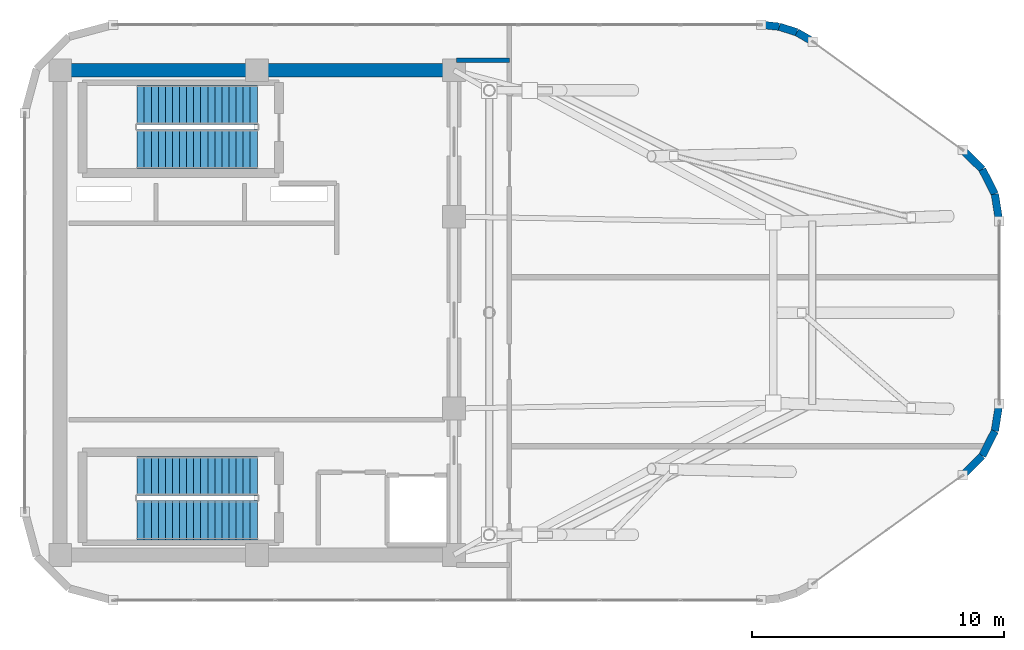
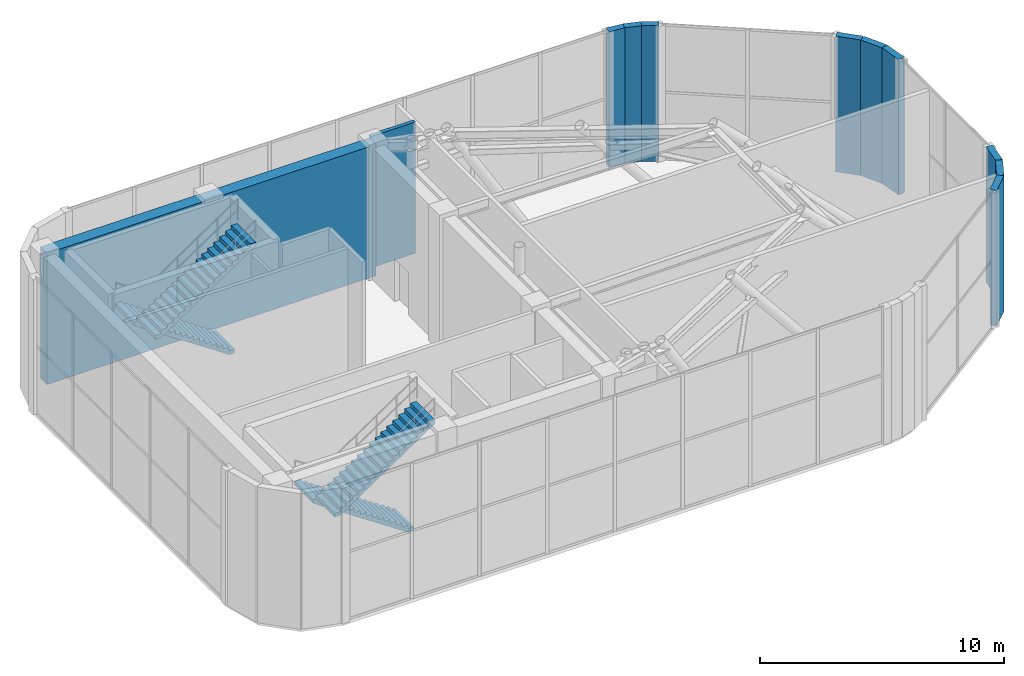
# One storey, part 22 of 23: 11 walls, 4 stair flights, 2 elements without a shape of their own.
"""IFC4 building model written with IfcOpenShell, lengths in metres."""

from ifc_helpers import new_model, si_unit, direction, frame, frame_2d, origin, place, context, subcontext, project, spatial, polyline, rectangle, outline, extrude, material, layer, layer_set, type_object, element, aggregate, save


model = new_model("IFC4")

# Units and contexts
model_context = context("Model", 3, precision=1e-05, world=origin(), true_north=direction((0.0, 1.0)))
body_context = subcontext(model_context, "Body", "Model", "MODEL_VIEW")
ifc_project = project(units=[si_unit("LENGTHUNIT", "METRE"), si_unit("AREAUNIT", "SQUARE_METRE"), si_unit("VOLUMEUNIT", "CUBIC_METRE"), si_unit("PLANEANGLEUNIT", "RADIAN"), si_unit("MASSUNIT", "GRAM", prefix="KILO")], contexts=[model_context])

# Site, building, storey
site_placement = place(None, origin())
site = spatial("IfcSite", under=ifc_project, at=site_placement, CompositionType="ELEMENT")
building_placement = place(site_placement, origin())
building = spatial("IfcBuilding", under=site, at=building_placement, Name="An Khanh Terracotta Commons", CompositionType="ELEMENT")
storey_placement = place(building_placement, frame((0.0, 0.0, 322.0)))
storey = spatial("IfcBuildingStorey", under=building, at=storey_placement, Name="L81 Crown Heat-Recovery Plant", CompositionType="ELEMENT", Elevation=322.0)

# Walls
ifc_material_1 = material(Name="Concrete C50/60", Category="concrete")
ifc_layer_1 = layer(ifc_material_1, 0.550048828125, Name="Concrete C50/60")
ifc_layer_set_1 = layer_set([ifc_layer_1], Name="Concrete C50/60")
wall_type_1 = type_object("IfcWallType", Name="WALL-CORE-550", PredefinedType="SHEAR", material=ifc_layer_set_1)
wall_1_placement = place(storey_placement, frame((21.60009765625, 33.60009765625, 0.0), z_axis=(0.0, 0.0, 1.0), x_axis=(1.0, 0.0, 0.0)))
element("IfcWall", 1, at=wall_1_placement, inside=storey, type_object=wall_type_1, Name="L81 Crown Heat-Recovery Plant Core Wall CWALL-L81 Crown Heat-Recovery Plant-N", PredefinedType="SHEAR", context=body_context, shape_type="SweptSolid", body=[
    extrude(rectangle(XDim=15.599853515625, YDim=0.550048828125, at=frame_2d((7.7998046875, 0.0))), origin(), (0.0, 0.0, 1.0), 6.580078125),
])
ifc_material_2 = material(Name="Fire-Rated Gypsum Board on Steel Stud", Category="steel")
ifc_layer_2 = layer(ifc_material_2, 0.179931640625, Name="Fire-Rated Gypsum Board on Steel Stud")
ifc_layer_set_2 = layer_set([ifc_layer_2], Name="Fire-Rated Gypsum Board on Steel Stud")
wall_type_2 = type_object("IfcWallType", Name="WALL-CORR-180", PredefinedType="PARTITIONING", material=ifc_layer_set_2)
wall_2_placement = place(storey_placement, frame((37.300048828125, 34.0, 0.0), z_axis=(0.0, 0.0, 1.0), x_axis=(1.0, 0.0, 0.0)))
element("IfcWall", 2, at=wall_2_placement, inside=storey, type_object=wall_type_2, Name="L81 Crown Heat-Recovery Plant Interior Partition IW-L81 Crown Heat-Recovery Plant-E004", PredefinedType="PARTITIONING", context=body_context, shape_type="SweptSolid", body=[
    extrude(rectangle(XDim=2.099853515625, YDim=0.179931640625, at=frame_2d((1.0498046875, 0.0))), origin(), (0.0, 0.0, 1.0), 6.580078125),
])
ifc_material_3 = material(Name="Precast concrete C40/50", Category="concrete")
ifc_layer_3 = layer(ifc_material_3, 0.300048828125, Name="Precast concrete C40/50")
ifc_layer_set_3 = layer_set([ifc_layer_3], Name="Precast concrete C40/50")
wall_type_3 = type_object("IfcWallType", Name="WALL-EXT-300", PredefinedType="SOLIDWALL", material=ifc_layer_set_3)
wall_3_placement = place(storey_placement, frame((57.35009765625, 17.552001953125, 0.0), z_axis=(0.0, 0.0, 1.0), x_axis=(0.708439683908, 0.705771361182, 0.0)))
element("IfcWall", 3, at=wall_3_placement, inside=storey, type_object=wall_type_3, Name="L81 Crown Heat-Recovery Plant Crown Facet Corner Closure 9", PredefinedType="SOLIDWALL", context=body_context, shape_type="SweptSolid", body=[
    extrude(rectangle(XDim=1.097900390625, YDim=0.300048828125, at=frame_2d((0.548828125, 0.0))), origin(), (0.0, 0.0, 1.0), 6.800048828125),
])
wall_4_placement = place(storey_placement, frame((58.1279296875, 18.326904296875, 0.0), z_axis=(0.0, 0.0, 1.0), x_axis=(0.455557799247, 0.890206207317, 0.0)))
element("IfcWall", 4, at=wall_4_placement, inside=storey, type_object=wall_type_3, Name="L81 Crown Heat-Recovery Plant Crown Facet Corner Closure 10", PredefinedType="SOLIDWALL", context=body_context, shape_type="SweptSolid", body=[
    extrude(rectangle(XDim=1.09765625, YDim=0.300048828125, at=frame_2d((0.548828125, 0.0))), origin(), (0.0, 0.0, 1.0), 6.800048828125),
])
for number, where, z_axis, x_axis, name in (
    (5, (58.6279296875, 19.303955078125, 0.0), (0.0, 0.0, 1.0), (0.156681519231, 0.987649179381, 0.0), "L81 Crown Heat-Recovery Plant Crown Facet Corner Closure 11"),
    (6, (58.800048828125, 27.611083984375, 0.0), (0.0, 0.0, 1.0), (-0.156681519231, 0.987649179381, 0.0), "L81 Crown Heat-Recovery Plant Crown Facet Corner Closure 13"),
):
    element("IfcWall", number, at=place(storey_placement, frame(where, z_axis=z_axis, x_axis=x_axis)), inside=storey, type_object=wall_type_3, Name=name, PredefinedType="SOLIDWALL", context=body_context, shape_type="SweptSolid", body=[
        extrude(rectangle(XDim=1.0986328125, YDim=0.300048828125, at=frame_2d((0.54931640625, 0.0))), origin(), (0.0, 0.0, 1.0), 6.800048828125),
    ])
wall_5_placement = place(storey_placement, frame((58.6279296875, 28.696044921875, 0.0), z_axis=(0.0, 0.0, 1.0), x_axis=(-0.455557799247, 0.890206207317, 0.0)))
element("IfcWall", 7, at=wall_5_placement, inside=storey, type_object=wall_type_3, Name="L81 Crown Heat-Recovery Plant Crown Facet Corner Closure 14", PredefinedType="SOLIDWALL", context=body_context, shape_type="SweptSolid", body=[
    extrude(rectangle(XDim=1.09765625, YDim=0.300048828125, at=frame_2d((0.548828125, 0.0))), origin(), (0.0, 0.0, 1.0), 6.800048828125),
])
wall_6_placement = place(storey_placement, frame((58.1279296875, 29.673095703125, 0.0), z_axis=(0.0, 0.0, 1.0), x_axis=(-0.708439683908, 0.705771361182, 0.0)))
element("IfcWall", 8, at=wall_6_placement, inside=storey, type_object=wall_type_3, Name="L81 Crown Heat-Recovery Plant Crown Facet Corner Closure 15", PredefinedType="SOLIDWALL", context=body_context, shape_type="SweptSolid", body=[
    extrude(rectangle(XDim=1.097900390625, YDim=0.300048828125, at=frame_2d((0.548828125, 0.0))), origin(), (0.0, 0.0, 1.0), 6.800048828125),
])
wall_7_placement = place(storey_placement, frame((51.41796875, 34.736083984375, 0.0), z_axis=(0.0, 0.0, 1.0), x_axis=(-0.866569821449, 0.49905585314, 0.0)))
element("IfcWall", 9, at=wall_7_placement, inside=storey, type_object=wall_type_3, Name="L81 Crown Heat-Recovery Plant Crown Facet Corner Closure 17", PredefinedType="SOLIDWALL", context=body_context, shape_type="SweptSolid", body=[
    extrude(rectangle(XDim=0.7294921875, YDim=0.300048828125, at=frame_2d((0.36474609375, 0.0))), origin(), (0.0, 0.0, 1.0), 6.800048828125),
])
for number, where, z_axis, x_axis, name in (
    (10, (50.785888671875, 35.10009765625, 0.0), (0.0, 0.0, 1.0), (-0.951686522408, 0.307071267082, 0.0), "L81 Crown Heat-Recovery Plant Crown Facet Corner Closure 18"),
    (11, (50.092041015625, 35.323974609375, 0.0), (0.0, 0.0, 1.0), (-0.99456218804, 0.104144390734, 0.0), "L81 Crown Heat-Recovery Plant Crown Facet Corner Closure 19"),
):
    element("IfcWall", number, at=place(storey_placement, frame(where, z_axis=z_axis, x_axis=x_axis)), inside=storey, type_object=wall_type_3, Name=name, PredefinedType="SOLIDWALL", context=body_context, shape_type="SweptSolid", body=[
        extrude(rectangle(XDim=0.72900390625, YDim=0.300048828125, at=frame_2d((0.364501953125, 0.0))), origin(), (0.0, 0.0, 1.0), 6.800048828125),
    ])

# Stair, stair flights
stair_type = type_object("IfcStairType", Name="STAIR-CORE-1550", PredefinedType="HALF_TURN_STAIR", material=ifc_material_3)
stair_1_placement = place(storey_placement, origin())
stair_1 = element("IfcStair", 12, at=stair_1_placement, inside=storey, type_object=stair_type, Name="L81 Crown Heat-Recovery Plant Core Smokeproof Exit Stair ST-01", PredefinedType="HALF_TURN_STAIR")
stair_flight_type = type_object("IfcStairFlightType", Name="FLIGHT-CORE-1550", PredefinedType="STRAIGHT", material=ifc_material_3)
stair_flight_1_placement = place(storey_placement, frame((29.409912109375, 32.22509765625, 0.0), z_axis=(0.0, 0.0, 1.0), x_axis=(-1.0, 0.0, 0.0)))
stair_flight_1 = element("IfcStairFlight", 13, at=stair_flight_1_placement, type_object=stair_flight_type, Name="ST-01 flight 1", NumberOfRisers=18, NumberOfTreads=17, PredefinedType="STRAIGHT", RiserHeight=0.188888889, TreadLength=0.28, context=body_context, shape_type="SweptSolid", body=[
    extrude(outline(polyline([(0.0, 0.0), (0.0, 0.18896484375), (0.280029296875, 0.18896484375), (0.280029296875, 0.377685546875), (0.56005859375, 0.377685546875), (0.56005859375, 0.566650390625), (0.840087890625, 0.566650390625), (0.840087890625, 0.755615234375), (1.1201171875, 0.755615234375), (1.1201171875, 0.9443359375), (1.39990234375, 0.9443359375), (1.39990234375, 1.13330078125), (1.679931640625, 1.13330078125), (1.679931640625, 1.322265625), (1.9599609375, 1.322265625), (1.9599609375, 1.51123046875), (2.239990234375, 1.51123046875), (2.239990234375, 1.699951171875), (2.52001953125, 1.699951171875), (2.52001953125, 1.888916015625), (2.800048828125, 1.888916015625), (2.800048828125, 2.077880859375), (3.080078125, 2.077880859375), (3.080078125, 2.2666015625), (3.360107421875, 2.2666015625), (3.360107421875, 2.45556640625), (3.639892578125, 2.45556640625), (3.639892578125, 2.64453125), (3.919921875, 2.64453125), (3.919921875, 2.833251953125), (4.199951171875, 2.833251953125), (4.199951171875, 3.022216796875), (4.47998046875, 3.022216796875), (4.47998046875, 3.211181640625), (4.760009765625, 3.211181640625), (4.760009765625, 3.39990234375), (4.760009765625, 3.0302734375), (0.26806640625, 0.0), (0.0, 0.0)])), frame((0.0, 0.77490234375, 0.0), z_axis=(0.0, -1.0, 0.0), x_axis=(1.0, 0.0, 0.0)), (0.0, 0.0, 1.0), 1.550048828125),
])
stair_flight_2_placement = place(storey_placement, frame((24.64990234375, 30.47509765625, 3.39990234375), z_axis=(0.0, 0.0, 1.0), x_axis=(1.0, 0.0, 0.0)))
stair_flight_2 = element("IfcStairFlight", 14, at=stair_flight_2_placement, type_object=stair_flight_type, Name="ST-01 flight 2", NumberOfRisers=18, NumberOfTreads=17, PredefinedType="STRAIGHT", RiserHeight=0.188888889, TreadLength=0.28, context=body_context, shape_type="SweptSolid", body=[
    extrude(outline(polyline([(0.0, 0.0), (0.0, 0.18896484375), (0.280029296875, 0.18896484375), (0.280029296875, 0.377685546875), (0.56005859375, 0.377685546875), (0.56005859375, 0.566650390625), (0.840087890625, 0.566650390625), (0.840087890625, 0.755615234375), (1.1201171875, 0.755615234375), (1.1201171875, 0.9443359375), (1.39990234375, 0.9443359375), (1.39990234375, 1.13330078125), (1.679931640625, 1.13330078125), (1.679931640625, 1.322265625), (1.9599609375, 1.322265625), (1.9599609375, 1.51123046875), (2.239990234375, 1.51123046875), (2.239990234375, 1.699951171875), (2.52001953125, 1.699951171875), (2.52001953125, 1.888916015625), (2.800048828125, 1.888916015625), (2.800048828125, 2.077880859375), (3.080078125, 2.077880859375), (3.080078125, 2.2666015625), (3.360107421875, 2.2666015625), (3.360107421875, 2.45556640625), (3.639892578125, 2.45556640625), (3.639892578125, 2.64453125), (3.919921875, 2.64453125), (3.919921875, 2.833251953125), (4.199951171875, 2.833251953125), (4.199951171875, 3.022216796875), (4.47998046875, 3.022216796875), (4.47998046875, 3.211181640625), (4.760009765625, 3.211181640625), (4.760009765625, 3.39990234375), (4.760009765625, 3.0302734375), (0.26806640625, 0.0), (0.0, 0.0)])), frame((0.0, 0.77490234375, 0.0), z_axis=(0.0, -1.0, 0.0), x_axis=(1.0, 0.0, 0.0)), (0.0, 0.0, 1.0), 1.550048828125),
])
aggregate(stair_1, [stair_flight_1, stair_flight_2])

stair_2_placement = place(storey_placement, origin())
stair_2 = element("IfcStair", 15, at=stair_2_placement, inside=storey, type_object=stair_type, Name="L81 Crown Heat-Recovery Plant Core Smokeproof Exit Stair ST-02", PredefinedType="HALF_TURN_STAIR")
stair_flight_3_placement = place(storey_placement, frame((29.409912109375, 17.52490234375, 0.0), z_axis=(0.0, 0.0, 1.0), x_axis=(-1.0, 0.0, 0.0)))
stair_flight_3 = element("IfcStairFlight", 16, at=stair_flight_3_placement, type_object=stair_flight_type, Name="ST-02 flight 1", NumberOfRisers=18, NumberOfTreads=17, PredefinedType="STRAIGHT", RiserHeight=0.188888889, TreadLength=0.28, context=body_context, shape_type="SweptSolid", body=[
    extrude(outline(polyline([(0.0, 0.0), (0.0, 0.18896484375), (0.280029296875, 0.18896484375), (0.280029296875, 0.377685546875), (0.56005859375, 0.377685546875), (0.56005859375, 0.566650390625), (0.840087890625, 0.566650390625), (0.840087890625, 0.755615234375), (1.1201171875, 0.755615234375), (1.1201171875, 0.9443359375), (1.39990234375, 0.9443359375), (1.39990234375, 1.13330078125), (1.679931640625, 1.13330078125), (1.679931640625, 1.322265625), (1.9599609375, 1.322265625), (1.9599609375, 1.51123046875), (2.239990234375, 1.51123046875), (2.239990234375, 1.699951171875), (2.52001953125, 1.699951171875), (2.52001953125, 1.888916015625), (2.800048828125, 1.888916015625), (2.800048828125, 2.077880859375), (3.080078125, 2.077880859375), (3.080078125, 2.2666015625), (3.360107421875, 2.2666015625), (3.360107421875, 2.45556640625), (3.639892578125, 2.45556640625), (3.639892578125, 2.64453125), (3.919921875, 2.64453125), (3.919921875, 2.833251953125), (4.199951171875, 2.833251953125), (4.199951171875, 3.022216796875), (4.47998046875, 3.022216796875), (4.47998046875, 3.211181640625), (4.760009765625, 3.211181640625), (4.760009765625, 3.39990234375), (4.760009765625, 3.0302734375), (0.26806640625, 0.0), (0.0, 0.0)])), frame((0.0, 0.77490234375, 0.0), z_axis=(0.0, -1.0, 0.0), x_axis=(1.0, 0.0, 0.0)), (0.0, 0.0, 1.0), 1.550048828125),
])
stair_flight_4_placement = place(storey_placement, frame((24.64990234375, 15.77490234375, 3.39990234375), z_axis=(0.0, 0.0, 1.0), x_axis=(1.0, 0.0, 0.0)))
stair_flight_4 = element("IfcStairFlight", 17, at=stair_flight_4_placement, type_object=stair_flight_type, Name="ST-02 flight 2", NumberOfRisers=18, NumberOfTreads=17, PredefinedType="STRAIGHT", RiserHeight=0.188888889, TreadLength=0.28, context=body_context, shape_type="SweptSolid", body=[
    extrude(outline(polyline([(0.0, 0.0), (0.0, 0.18896484375), (0.280029296875, 0.18896484375), (0.280029296875, 0.377685546875), (0.56005859375, 0.377685546875), (0.56005859375, 0.566650390625), (0.840087890625, 0.566650390625), (0.840087890625, 0.755615234375), (1.1201171875, 0.755615234375), (1.1201171875, 0.9443359375), (1.39990234375, 0.9443359375), (1.39990234375, 1.13330078125), (1.679931640625, 1.13330078125), (1.679931640625, 1.322265625), (1.9599609375, 1.322265625), (1.9599609375, 1.51123046875), (2.239990234375, 1.51123046875), (2.239990234375, 1.699951171875), (2.52001953125, 1.699951171875), (2.52001953125, 1.888916015625), (2.800048828125, 1.888916015625), (2.800048828125, 2.077880859375), (3.080078125, 2.077880859375), (3.080078125, 2.2666015625), (3.360107421875, 2.2666015625), (3.360107421875, 2.45556640625), (3.639892578125, 2.45556640625), (3.639892578125, 2.64453125), (3.919921875, 2.64453125), (3.919921875, 2.833251953125), (4.199951171875, 2.833251953125), (4.199951171875, 3.022216796875), (4.47998046875, 3.022216796875), (4.47998046875, 3.211181640625), (4.760009765625, 3.211181640625), (4.760009765625, 3.39990234375), (4.760009765625, 3.0302734375), (0.26806640625, 0.0), (0.0, 0.0)])), frame((0.0, 0.77490234375, 0.0), z_axis=(0.0, -1.0, 0.0), x_axis=(1.0, 0.0, 0.0)), (0.0, 0.0, 1.0), 1.550048828125),
])
aggregate(stair_2, [stair_flight_3, stair_flight_4])

save(model, "model.ifc")
